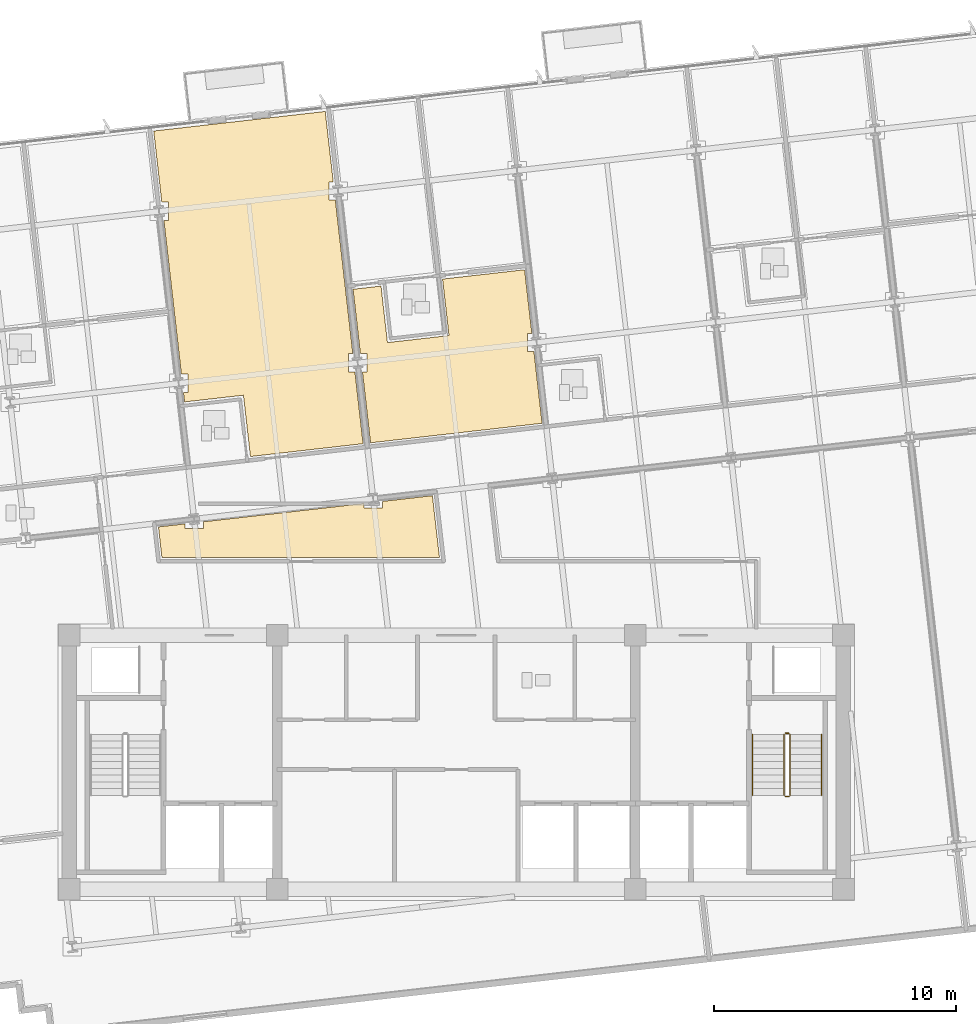
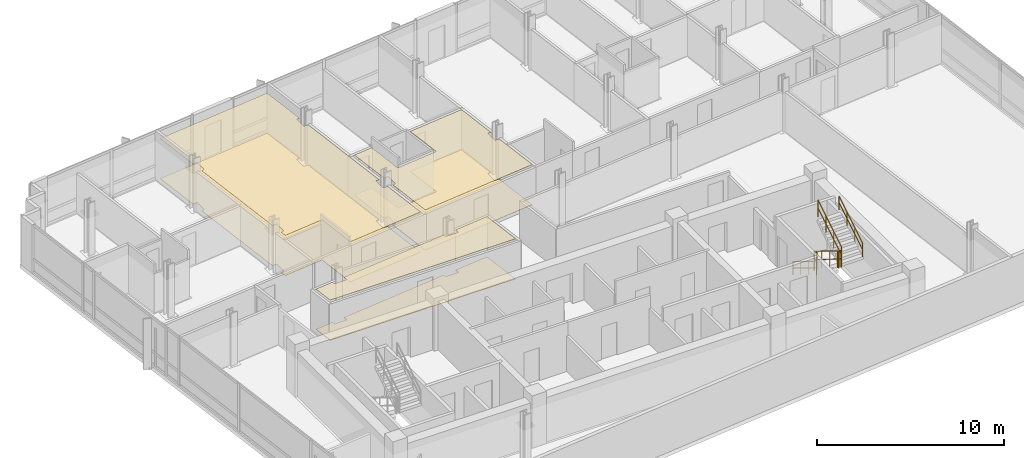
# One storey, part 14 of 17: 6 coverings, 6 railings.
"""IFC4 building model written with IfcOpenShell, lengths in metres."""

from ifc_helpers import new_model, si_unit, direction, frame, origin, origin_2d, place, context, subcontext, project, spatial, polyline, circle, outline, extrude, material, layer, layer_set, type_object, element, save


model = new_model("IFC4")

# Units and contexts
model_context = context("Model", 3, precision=1e-05, world=origin(), true_north=direction((0.0, 1.0)))
body_context = subcontext(model_context, "Body", "Model", "MODEL_VIEW")
ifc_project = project(units=[si_unit("LENGTHUNIT", "METRE"), si_unit("AREAUNIT", "SQUARE_METRE"), si_unit("VOLUMEUNIT", "CUBIC_METRE"), si_unit("PLANEANGLEUNIT", "RADIAN"), si_unit("MASSUNIT", "GRAM", prefix="KILO")], contexts=[model_context])

# Site, building, storey
site_placement = place(None, origin())
site = spatial("IfcSite", under=ifc_project, at=site_placement, CompositionType="ELEMENT")
building_placement = place(site_placement, origin())
building = spatial("IfcBuilding", under=site, at=building_placement, Name="Solmavex Isthmus Hotel", CompositionType="ELEMENT")
storey_placement = place(building_placement, frame((0.0, 0.0, 202.050048828125)))
storey = spatial("IfcBuildingStorey", under=building, at=storey_placement, Name="L54", CompositionType="ELEMENT", Elevation=202.050048828125)

# Coverings
ifc_material_1 = material(Name="Gypsum plasterboard lining", Category="gypsum")
ifc_layer_1 = layer(ifc_material_1, 0.030029296875)
ifc_layer_set_1 = layer_set([ifc_layer_1], Name="Gypsum plasterboard lining")
covering_type_1 = type_object("IfcCoveringType", Name="COV-CEIL-GYP", PredefinedType="CEILING", material=ifc_layer_set_1)
covering_1_placement = place(storey_placement, frame((0.0, 0.0, 2.619873046875)))
element("IfcCovering", 1, at=covering_1_placement, inside=storey, type_object=covering_type_1, Name="Suspended Acoustic Ceiling L54-RM02", PredefinedType="CEILING", context=body_context, shape_type="SweptSolid", body=[
    extrude(outline(polyline([(-11.360595703125, 8.29248046875), (-11.09326171875, 8.29248046875), (-11.09326171875, 7.532470703125), (-11.274169921875, 7.532470703125), (-11.2294921875, 7.14208984375), (-8.79541015625, 7.41943359375), (-8.506591796875, 4.8857421875), (-3.850830078125, 5.416259765625), (-4.18798828125, 8.375244140625), (-4.455322265625, 8.375244140625), (-4.455322265625, 9.13525390625), (-4.2744140625, 9.13525390625), (-4.99755859375, 15.481201171875), (-5.264892578125, 15.481201171875), (-5.264892578125, 16.2412109375), (-5.084228515625, 16.2412109375), (-5.415283203125, 19.1474609375), (-12.50537109375, 18.339599609375), (-12.17041015625, 15.3984375), (-11.903076171875, 15.3984375), (-11.903076171875, 14.638427734375), (-12.083740234375, 14.638427734375), (-11.763916015625, 11.832275390625), (-11.360595703125, 8.29248046875)])), origin(), (0.0, 0.0, 1.0), 0.030029296875),
])
covering_2_placement = place(storey_placement, frame((0.0, 0.0, 2.619873046875)))
element("IfcCovering", 2, at=covering_2_placement, inside=storey, type_object=covering_type_1, Name="Suspended Acoustic Ceiling L54-ST03-FY", PredefinedType="CEILING", context=body_context, shape_type="SweptSolid", body=[
    extrude(outline(polyline([(3.210205078125, 9.21826171875), (2.94287109375, 9.21826171875), (2.94287109375, 9.978271484375), (3.12353515625, 9.978271484375), (2.82421875, 12.60595703125), (-0.56689453125, 12.2197265625), (-0.30078125, 9.884765625), (-2.844482421875, 9.594970703125), (-3.1103515625, 11.929931640625), (-4.265869140625, 11.79833984375), (-3.962646484375, 9.13525390625), (-3.6953125, 9.13525390625), (-3.6953125, 8.375244140625), (-3.8759765625, 8.375244140625), (-3.542724609375, 5.451416015625), (3.54736328125, 6.259033203125), (3.210205078125, 9.21826171875)])), origin(), (0.0, 0.0, 1.0), 0.030029296875),
])
covering_3_placement = place(storey_placement, frame((0.0, 0.0, 2.619873046875)))
element("IfcCovering", 3, at=covering_3_placement, inside=storey, type_object=covering_type_1, Name="Suspended Acoustic Ceiling L54-FL09", PredefinedType="CEILING", context=body_context, shape_type="SweptSolid", body=[
    extrude(outline(polyline([(-10.4541015625, 2.18798828125), (-10.4541015625, 1.920654296875), (-11.214111328125, 1.920654296875), (-11.214111328125, 2.101318359375), (-12.309814453125, 1.9765625), (-12.1650390625, 0.705078125), (-0.694091796875, 0.705078125), (-0.986083984375, 3.2666015625), (-3.055908203125, 3.03076171875), (-3.055908203125, 2.763671875), (-3.81591796875, 2.763671875), (-3.81591796875, 2.9443359375), (-10.4541015625, 2.18798828125)])), origin(), (0.0, 0.0, 1.0), 0.030029296875),
])
ifc_material_2 = material(Name="Travertine natural stone", Category="masonry")
ifc_layer_2 = layer(ifc_material_2, 0.02490234375)
ifc_layer_set_2 = layer_set([ifc_layer_2], Name="Travertine natural stone")
covering_type_2 = type_object("IfcCoveringType", Name="COV-FLOR-STN", PredefinedType="FLOORING", material=ifc_layer_set_2)
covering_4_placement = place(storey_placement, origin())
element("IfcCovering", 4, at=covering_4_placement, inside=storey, type_object=covering_type_2, Name="Stone and Timber Floor Finish L54-RM02", PredefinedType="FLOORING", context=body_context, shape_type="SweptSolid", body=[
    extrude(outline(polyline([(-11.360595703125, 8.29248046875), (-11.09326171875, 8.29248046875), (-11.09326171875, 7.532470703125), (-11.274169921875, 7.532470703125), (-11.2294921875, 7.14208984375), (-8.79541015625, 7.41943359375), (-8.506591796875, 4.8857421875), (-3.850830078125, 5.416259765625), (-4.18798828125, 8.375244140625), (-4.455322265625, 8.375244140625), (-4.455322265625, 9.13525390625), (-4.2744140625, 9.13525390625), (-4.99755859375, 15.481201171875), (-5.264892578125, 15.481201171875), (-5.264892578125, 16.2412109375), (-5.084228515625, 16.2412109375), (-5.415283203125, 19.1474609375), (-12.50537109375, 18.339599609375), (-12.17041015625, 15.3984375), (-11.903076171875, 15.3984375), (-11.903076171875, 14.638427734375), (-12.083740234375, 14.638427734375), (-11.763916015625, 11.832275390625), (-11.360595703125, 8.29248046875)])), origin(), (0.0, 0.0, 1.0), 0.02490234375),
])
covering_5_placement = place(storey_placement, origin())
element("IfcCovering", 5, at=covering_5_placement, inside=storey, type_object=covering_type_2, Name="Stone and Timber Floor Finish L54-ST03-FY", PredefinedType="FLOORING", context=body_context, shape_type="SweptSolid", body=[
    extrude(outline(polyline([(3.210205078125, 9.21826171875), (2.94287109375, 9.21826171875), (2.94287109375, 9.978271484375), (3.12353515625, 9.978271484375), (2.82421875, 12.60595703125), (-0.56689453125, 12.2197265625), (-0.30078125, 9.884765625), (-2.844482421875, 9.594970703125), (-3.1103515625, 11.929931640625), (-4.265869140625, 11.79833984375), (-3.962646484375, 9.13525390625), (-3.6953125, 9.13525390625), (-3.6953125, 8.375244140625), (-3.8759765625, 8.375244140625), (-3.542724609375, 5.451416015625), (3.54736328125, 6.259033203125), (3.210205078125, 9.21826171875)])), origin(), (0.0, 0.0, 1.0), 0.02490234375),
])
covering_6_placement = place(storey_placement, origin())
element("IfcCovering", 6, at=covering_6_placement, inside=storey, type_object=covering_type_2, Name="Stone and Timber Floor Finish L54-FL09", PredefinedType="FLOORING", context=body_context, shape_type="SweptSolid", body=[
    extrude(outline(polyline([(-10.4541015625, 2.18798828125), (-10.4541015625, 1.920654296875), (-11.214111328125, 1.920654296875), (-11.214111328125, 2.101318359375), (-12.309814453125, 1.9765625), (-12.1650390625, 0.705078125), (-0.694091796875, 0.705078125), (-0.986083984375, 3.2666015625), (-3.055908203125, 3.03076171875), (-3.055908203125, 2.763671875), (-3.81591796875, 2.763671875), (-3.81591796875, 2.9443359375), (-10.4541015625, 2.18798828125)])), origin(), (0.0, 0.0, 1.0), 0.02490234375),
])

# Railings
ifc_material_3 = material(Name="Stainless steel 316", Category="steel")
ifc_layer_3 = layer(ifc_material_3, 0.06005859375)
ifc_layer_set_3 = layer_set([ifc_layer_3], Name="Stainless steel 316")
railing_type_1 = type_object("IfcRailingType", Name="RAIL-STAIR-GD", PredefinedType="GUARDRAIL", material=ifc_layer_set_3)
railing_1_placement = place(storey_placement, frame((13.550048828125, -6.60009765625, 0.17236328125)))
element("IfcRailing", 7, at=railing_1_placement, inside=storey, type_object=railing_type_1, Name="L54 ST-2 stair guard 1", PredefinedType="GUARDRAIL", context=body_context, shape_type="SweptSolid", body=[
    extrude(circle(Radius=0.02392578125, at=origin_2d()), frame((0.0, 0.0, 1.09619140625), z_axis=(0.0, -0.851400495292, 0.524516154772), x_axis=(1.0, 0.0, 0.0)), (0.0, 0.0, 1.0), 2.9599609375),
    extrude(circle(Radius=0.02392578125, at=origin_2d()), frame((0.0, 0.0, 0.56005859375), z_axis=(0.0, -0.851400495292, 0.524516154772), x_axis=(1.0, 0.0, 0.0)), (0.0, 0.0, 1.0), 2.9599609375),
    extrude(circle(Radius=0.02099609375, at=origin_2d()), origin(), (0.0, 0.0, 1.0), 1.072021484375),
    extrude(circle(Radius=0.02099609375, at=origin_2d()), frame((0.0, -0.840087890625, 0.517578125)), (0.0, 0.0, 1.0), 1.072021484375),
    extrude(circle(Radius=0.02099609375, at=origin_2d()), frame((0.0, -1.679931640625, 1.034912109375)), (0.0, 0.0, 1.0), 1.072021484375),
    extrude(circle(Radius=0.02099609375, at=origin_2d()), frame((0.0, -2.52001953125, 1.552490234375)), (0.0, 0.0, 1.0), 1.072021484375),
])
railing_2_placement = place(storey_placement, frame((13.60009765625, -9.169921875, 1.724853515625)))
element("IfcRailing", 8, at=railing_2_placement, inside=storey, type_object=railing_type_1, Name="L54 ST-2 stair guard 2", PredefinedType="GUARDRAIL", context=body_context, shape_type="SweptSolid", body=[
    extrude(circle(Radius=0.02392578125, at=origin_2d()), frame((0.0, 0.0, 1.09619140625), z_axis=(1.0, 0.0, 0.0), x_axis=(0.0, 1.0, 0.0)), (0.0, 0.0, 1.0), 0.14990234375),
    extrude(circle(Radius=0.02392578125, at=origin_2d()), frame((0.0, 0.0, 0.56005859375), z_axis=(1.0, 0.0, 0.0), x_axis=(0.0, 1.0, 0.0)), (0.0, 0.0, 1.0), 0.14990234375),
    extrude(circle(Radius=0.02099609375, at=origin_2d()), origin(), (0.0, 0.0, 1.0), 1.072021484375),
    extrude(circle(Radius=0.02099609375, at=origin_2d()), frame((0.14990234375, 0.0, 0.0)), (0.0, 0.0, 1.0), 1.072021484375),
])
railing_3_placement = place(storey_placement, frame((13.800048828125, -9.1201171875, 1.8974609375)))
element("IfcRailing", 9, at=railing_3_placement, inside=storey, type_object=railing_type_1, Name="L54 ST-2 stair guard 3", PredefinedType="GUARDRAIL", context=body_context, shape_type="SweptSolid", body=[
    extrude(circle(Radius=0.02392578125, at=origin_2d()), frame((0.0, 0.0, 1.09619140625), z_axis=(0.0, 0.851400495292, 0.524516154772), x_axis=(-1.0, 0.0, 0.0)), (0.0, 0.0, 1.0), 2.9599609375),
    extrude(circle(Radius=0.02392578125, at=origin_2d()), frame((0.0, 0.0, 0.56005859375), z_axis=(0.0, 0.851400495292, 0.524516154772), x_axis=(-1.0, 0.0, 0.0)), (0.0, 0.0, 1.0), 2.9599609375),
    extrude(circle(Radius=0.02099609375, at=origin_2d()), origin(), (0.0, 0.0, 1.0), 1.072021484375),
    extrude(circle(Radius=0.02099609375, at=origin_2d()), frame((0.0, 0.840087890625, 0.517578125)), (0.0, 0.0, 1.0), 1.072021484375),
    extrude(circle(Radius=0.02099609375, at=origin_2d()), frame((0.0, 1.679931640625, 1.034912109375)), (0.0, 0.0, 1.0), 1.072021484375),
    extrude(circle(Radius=0.02099609375, at=origin_2d()), frame((0.0, 2.52001953125, 1.552490234375)), (0.0, 0.0, 1.0), 1.072021484375),
])
railing_4_placement = place(storey_placement, frame((13.60009765625, -6.550048828125, 0.0)))
element("IfcRailing", 10, at=railing_4_placement, inside=storey, type_object=railing_type_1, Name="L54 ST-2 stair guard 4", PredefinedType="GUARDRAIL", context=body_context, shape_type="SweptSolid", body=[
    extrude(circle(Radius=0.02392578125, at=origin_2d()), frame((0.0, 0.0, 1.09619140625), z_axis=(1.0, 0.0, 0.0), x_axis=(0.0, 1.0, 0.0)), (0.0, 0.0, 1.0), 0.14990234375),
    extrude(circle(Radius=0.02392578125, at=origin_2d()), frame((0.0, 0.0, 0.56005859375), z_axis=(1.0, 0.0, 0.0), x_axis=(0.0, 1.0, 0.0)), (0.0, 0.0, 1.0), 0.14990234375),
    extrude(circle(Radius=0.02099609375, at=origin_2d()), origin(), (0.0, 0.0, 1.0), 1.072021484375),
    extrude(circle(Radius=0.02099609375, at=origin_2d()), frame((0.14990234375, 0.0, 0.0)), (0.0, 0.0, 1.0), 1.072021484375),
])
ifc_layer_4 = layer(ifc_material_3, 0.050048828125)
ifc_layer_set_4 = layer_set([ifc_layer_4], Name="Stainless steel 316")
railing_type_2 = type_object("IfcRailingType", Name="RAIL-STAIR-HR", PredefinedType="HANDRAIL", material=ifc_layer_set_4)
railing_5_placement = place(storey_placement, frame((12.25, -6.60009765625, 0.17236328125)))
element("IfcRailing", 11, at=railing_5_placement, inside=storey, type_object=railing_type_2, Name="L54 ST-2 stair handrail 1", PredefinedType="HANDRAIL", context=body_context, shape_type="SweptSolid", body=[
    extrude(circle(Radius=0.02392578125, at=origin_2d()), frame((0.0, 0.0, 0.8759765625), z_axis=(0.0, -0.851400495292, 0.524516154772), x_axis=(1.0, 0.0, 0.0)), (0.0, 0.0, 1.0), 2.9599609375),
    extrude(circle(Radius=0.02392578125, at=origin_2d()), frame((0.0, 0.0, 0.449951171875), z_axis=(0.0, -0.851400495292, 0.524516154772), x_axis=(1.0, 0.0, 0.0)), (0.0, 0.0, 1.0), 2.9599609375),
    extrude(circle(Radius=0.02099609375, at=origin_2d()), origin(), (0.0, 0.0, 1.0), 0.851806640625),
    extrude(circle(Radius=0.02099609375, at=origin_2d()), frame((0.0, -0.840087890625, 0.517578125)), (0.0, 0.0, 1.0), 0.851806640625),
    extrude(circle(Radius=0.02099609375, at=origin_2d()), frame((0.0, -1.679931640625, 1.034912109375)), (0.0, 0.0, 1.0), 0.851806640625),
    extrude(circle(Radius=0.02099609375, at=origin_2d()), frame((0.0, -2.52001953125, 1.552490234375)), (0.0, 0.0, 1.0), 0.851806640625),
])
railing_6_placement = place(storey_placement, frame((15.10009765625, -9.1201171875, 1.8974609375)))
element("IfcRailing", 12, at=railing_6_placement, inside=storey, type_object=railing_type_2, Name="L54 ST-2 stair handrail 2", PredefinedType="HANDRAIL", context=body_context, shape_type="SweptSolid", body=[
    extrude(circle(Radius=0.02392578125, at=origin_2d()), frame((0.0, 0.0, 0.8759765625), z_axis=(0.0, 0.851400495292, 0.524516154772), x_axis=(-1.0, 0.0, 0.0)), (0.0, 0.0, 1.0), 2.9599609375),
    extrude(circle(Radius=0.02392578125, at=origin_2d()), frame((0.0, 0.0, 0.449951171875), z_axis=(0.0, 0.851400495292, 0.524516154772), x_axis=(-1.0, 0.0, 0.0)), (0.0, 0.0, 1.0), 2.9599609375),
    extrude(circle(Radius=0.02099609375, at=origin_2d()), origin(), (0.0, 0.0, 1.0), 0.851806640625),
    extrude(circle(Radius=0.02099609375, at=origin_2d()), frame((0.0, 0.840087890625, 0.517578125)), (0.0, 0.0, 1.0), 0.851806640625),
    extrude(circle(Radius=0.02099609375, at=origin_2d()), frame((0.0, 1.679931640625, 1.034912109375)), (0.0, 0.0, 1.0), 0.851806640625),
    extrude(circle(Radius=0.02099609375, at=origin_2d()), frame((0.0, 2.52001953125, 1.552490234375)), (0.0, 0.0, 1.0), 0.851806640625),
])

save(model, "model.ifc")
